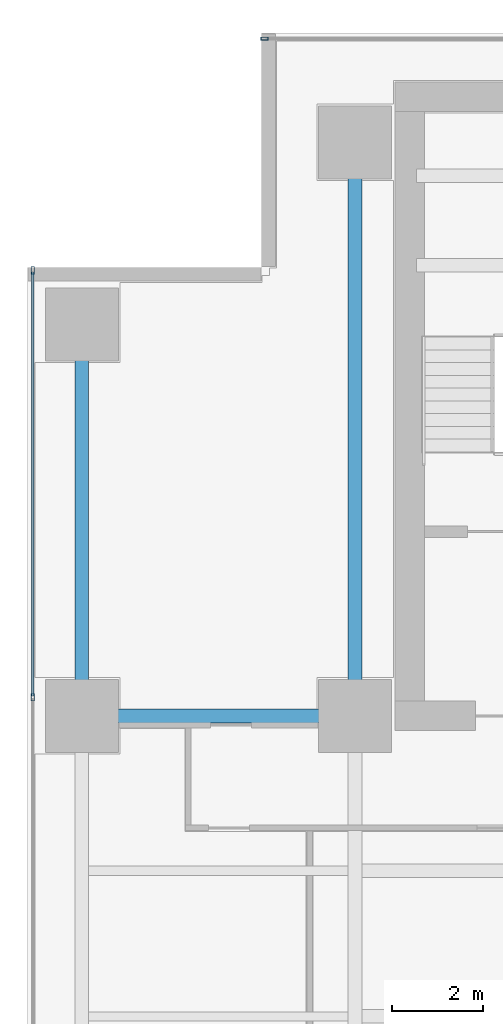
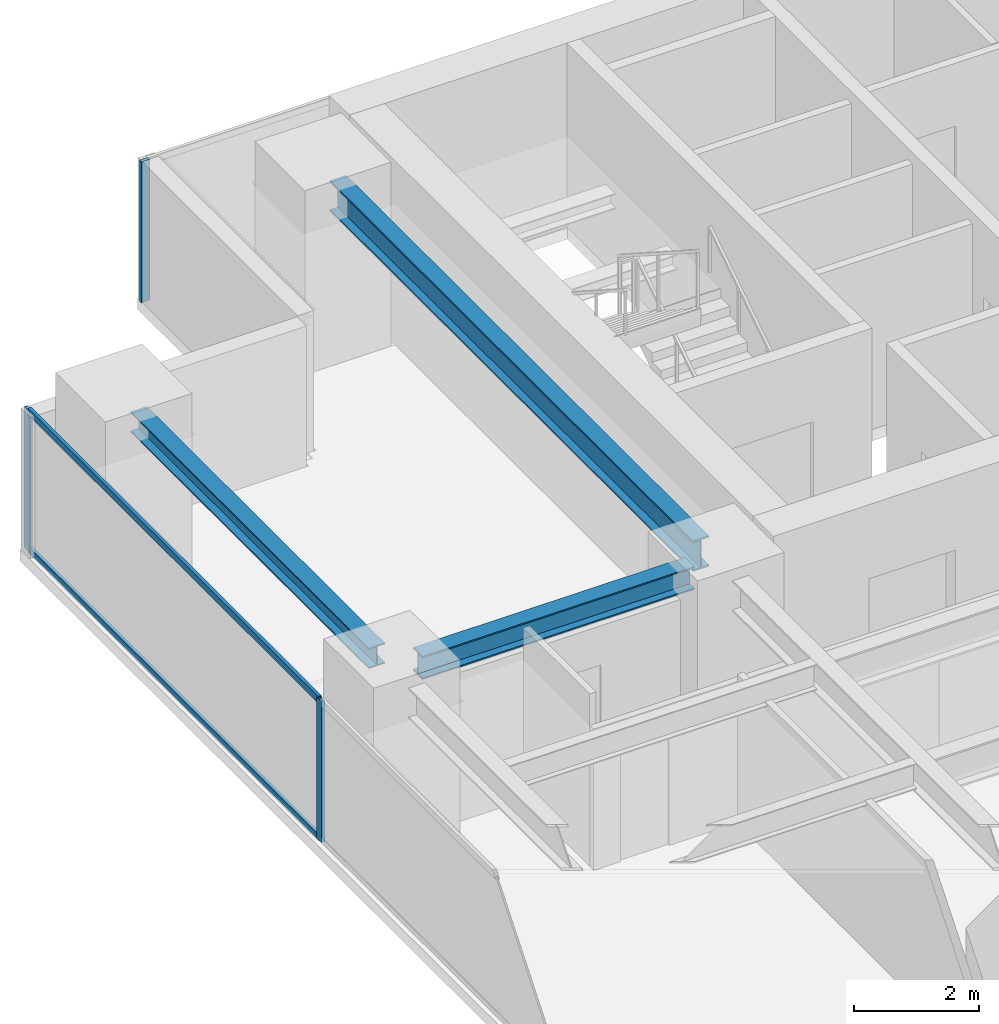
# One storey, part 14 of 28: 5 members, 3 beams, 2 elements without a shape of their own.
"""IFC4 building model written with IfcOpenShell, lengths in metres."""

from ifc_helpers import new_model, si_unit, direction, frame, origin, origin_2d, place, context, subcontext, project, spatial, hollow_rectangle, i_section, extrude, source, transform, mapped, material, layer, layer_set, material_profile, profile_set, type_object, element, aggregate, save


model = new_model("IFC4")

# Units and contexts
model_context = context("Model", 3, precision=1e-05, world=origin(), true_north=direction((0.0, 1.0)))
body_context = subcontext(model_context, "Body", "Model", "MODEL_VIEW")
ifc_project = project(units=[si_unit("LENGTHUNIT", "METRE"), si_unit("AREAUNIT", "SQUARE_METRE"), si_unit("VOLUMEUNIT", "CUBIC_METRE"), si_unit("PLANEANGLEUNIT", "RADIAN"), si_unit("MASSUNIT", "GRAM", prefix="KILO")], contexts=[model_context])

# Site, building, storey
site_placement = place(None, origin())
site = spatial("IfcSite", under=ifc_project, at=site_placement, CompositionType="ELEMENT")
building_placement = place(site_placement, origin())
building = spatial("IfcBuilding", under=site, at=building_placement, Name="Sumidabori Civic Tower", CompositionType="ELEMENT")
storey_placement = place(building_placement, frame((0.0, 0.0, 178.39990234375)))
storey = spatial("IfcBuildingStorey", under=building, at=storey_placement, Name="L46", CompositionType="ELEMENT", Elevation=178.39990234375)

# Beams
ifc_material_1 = material(Name="Steel SN490", Category="steel")
ifc_material_profile_1 = material_profile(ifc_material_1, i_section(OverallWidth=0.300048828125, OverallDepth=0.39990234375, WebThickness=0.013427734375, FlangeThickness=0.02392578125, at=origin_2d()), Name="HE 400 B")
ifc_profile_set_1 = profile_set([ifc_material_profile_1], Name="Steel SN490")
beam_type_1 = type_object("IfcBeamType", Name="BM-GIRD-400", PredefinedType="BEAM", material=ifc_profile_set_1)
shared_shape_1 = source(origin(), body_context, "Body", "SweptSolid", [
    extrude(i_section(OverallWidth=0.300048828125, OverallDepth=0.39990234375, WebThickness=0.013427734375, FlangeThickness=0.02392578125, at=origin_2d()), origin(), (0.0, 0.0, 1.0), 7.64013671875),
])
beam_1_placement = place(storey_placement, frame((-22.800048828125, 10.679931640625, 3.18017578125), z_axis=(0.0, 1.0, 0.0), x_axis=(-1.0, 0.0, 0.0)))
element("IfcBeam", 1, at=beam_1_placement, inside=storey, type_object=beam_type_1, Name="Primary Girder L46 GY-21", PredefinedType="BEAM", context=body_context, shape_type="MappedRepresentation", body=[
    mapped(shared_shape_1, transform((0.0, 0.0, 0.0), x_axis=(1.0, 0.0, 0.0), y_axis=(0.0, 1.0, 0.0), z_axis=(0.0, 0.0, 1.0), scale=1.0)),
])
ifc_material_profile_2 = material_profile(ifc_material_1, i_section(OverallWidth=0.300048828125, OverallDepth=0.60009765625, WebThickness=0.015380859375, FlangeThickness=0.030029296875, at=origin_2d()), Name="HE 600 B")
ifc_profile_set_2 = profile_set([ifc_material_profile_2], Name="Steel SN490")
beam_type_2 = type_object("IfcBeamType", Name="BM-GIRD-600", PredefinedType="BEAM", material=ifc_profile_set_2)
shared_shape_2 = source(origin(), body_context, "Body", "SweptSolid", [
    extrude(i_section(OverallWidth=0.300048828125, OverallDepth=0.60009765625, WebThickness=0.015380859375, FlangeThickness=0.030029296875, at=origin_2d()), origin(), (0.0, 0.0, 1.0), 11.64013671875),
])
beam_2_placement = place(storey_placement, frame((-16.800048828125, 10.679931640625, 3.080078125), z_axis=(0.0, 1.0, 0.0), x_axis=(-1.0, 0.0, 0.0)))
element("IfcBeam", 2, at=beam_2_placement, inside=storey, type_object=beam_type_2, Name="Primary Girder L46 GY-25", PredefinedType="BEAM", context=body_context, shape_type="MappedRepresentation", body=[
    mapped(shared_shape_2, transform((0.0, 0.0, 0.0), x_axis=(1.0, 0.0, 0.0), y_axis=(0.0, 1.0, 0.0), z_axis=(0.0, 0.0, 1.0), scale=1.0)),
])
ifc_material_profile_3 = material_profile(ifc_material_1, i_section(OverallWidth=0.300048828125, OverallDepth=0.449951171875, WebThickness=0.013916015625, FlangeThickness=0.02587890625, at=origin_2d()), Name="HE 450 B")
ifc_profile_set_3 = profile_set([ifc_material_profile_3], Name="Steel SN490")
beam_type_3 = type_object("IfcBeamType", Name="BM-GIRD-450", PredefinedType="BEAM", material=ifc_profile_set_3)
shared_shape_3 = source(origin(), body_context, "Body", "SweptSolid", [
    extrude(i_section(OverallWidth=0.300048828125, OverallDepth=0.449951171875, WebThickness=0.013916015625, FlangeThickness=0.02587890625, at=origin_2d()), origin(), (0.0, 0.0, 1.0), 5.0400390625),
])
beam_3_placement = place(storey_placement, frame((-22.320068359375, 10.199951171875, 3.155029296875), z_axis=(1.0, 0.0, 0.0), x_axis=(0.0, 1.0, 0.0)))
element("IfcBeam", 3, at=beam_3_placement, inside=storey, type_object=beam_type_3, Name="Primary Girder L46 GX-17", PredefinedType="BEAM", context=body_context, shape_type="MappedRepresentation", body=[
    mapped(shared_shape_3, transform((0.0, 0.0, 0.0), x_axis=(1.0, 0.0, 0.0), y_axis=(0.0, 1.0, 0.0), z_axis=(0.0, 0.0, 1.0), scale=1.0)),
])

# Curtain wall, member
ifc_material_2 = material(Name="Anodised Bronze Aluminium AW-6063-T6", Category="aluminium")
ifc_layer = layer(ifc_material_2, 0.179931640625, Name="Anodised Bronze Aluminium AW-6063-T6")
ifc_layer_set = layer_set([ifc_layer], Name="Anodised Bronze Aluminium AW-6063-T6")
curtain_wall_type = type_object("IfcCurtainWallType", Name="CW-SYS-3", PredefinedType="NOTDEFINED", material=ifc_layer_set)
curtain_wall_1_placement = place(storey_placement, origin())
curtain_wall_1 = element("IfcCurtainWall", 4, at=curtain_wall_1_placement, inside=storey, type_object=curtain_wall_type, Name="Curtain Wall CW:L46:R07", PredefinedType="NOTDEFINED")
ifc_material_profile_4 = material_profile(ifc_material_2, hollow_rectangle(XDim=0.06494140625, YDim=0.159912109375, WallThickness=0.0048828125, at=origin_2d()), Name="ALU MULLION 160x65")
ifc_profile_set_4 = profile_set([ifc_material_profile_4], Name="Anodised Bronze Aluminium AW-6063-T6")
member_type_1 = type_object("IfcMemberType", Name="CW-MUL-160", PredefinedType="MULLION", material=ifc_profile_set_4)
shared_shape_4 = source(origin(), body_context, "Body", "SweptSolid", [
    extrude(hollow_rectangle(XDim=0.06494140625, YDim=0.159912109375, WallThickness=0.0048828125, at=origin_2d()), origin(), (0.0, 0.0, 1.0), 2.760009765625),
])
member_1_placement = place(storey_placement, frame((-18.78759765625, 25.080078125, 0.0), z_axis=(0.0, 0.0, 1.0), x_axis=(0.0, -1.0, 0.0)))
member_1 = element("IfcMember", 5, at=member_1_placement, type_object=member_type_1, Name="CW-3 mullion 5", PredefinedType="MULLION", context=body_context, shape_type="MappedRepresentation", body=[
    mapped(shared_shape_4, transform((0.0, 0.0, 0.0), x_axis=(1.0, 0.0, 0.0), y_axis=(0.0, 1.0, 0.0), z_axis=(0.0, 0.0, 1.0), scale=1.0)),
])
aggregate(curtain_wall_1, [member_1])

# Curtain wall, members
curtain_wall_2_placement = place(storey_placement, origin())
curtain_wall_2 = element("IfcCurtainWall", 6, at=curtain_wall_2_placement, inside=storey, type_object=curtain_wall_type, Name="Curtain Wall CW:L46:R10", PredefinedType="NOTDEFINED")
member_2_placement = place(storey_placement, frame((-23.8798828125, 19.987548828125, 0.0), z_axis=(0.0, 0.0, 1.0), x_axis=(1.0, 0.0, 0.0)))
member_2 = element("IfcMember", 7, at=member_2_placement, type_object=member_type_1, Name="CW-3 mullion 1", PredefinedType="MULLION", context=body_context, shape_type="MappedRepresentation", body=[
    mapped(shared_shape_4, transform((0.0, 0.0, 0.0), x_axis=(1.0, 0.0, 0.0), y_axis=(0.0, 1.0, 0.0), z_axis=(0.0, 0.0, 1.0), scale=1.0)),
])
member_3_placement = place(storey_placement, frame((-23.8798828125, 10.610107421875, 0.0), z_axis=(0.0, 0.0, 1.0), x_axis=(1.0, 0.0, 0.0)))
member_3 = element("IfcMember", 8, at=member_3_placement, type_object=member_type_1, Name="CW-3 mullion 2", PredefinedType="MULLION", context=body_context, shape_type="MappedRepresentation", body=[
    mapped(shared_shape_4, transform((0.0, 0.0, 0.0), x_axis=(1.0, 0.0, 0.0), y_axis=(0.0, 1.0, 0.0), z_axis=(0.0, 0.0, 1.0), scale=1.0)),
])
ifc_material_profile_5 = material_profile(ifc_material_2, hollow_rectangle(XDim=0.06005859375, YDim=0.1298828125, WallThickness=0.0048828125, at=origin_2d()), Name="ALU TRANSOM 130x60")
ifc_profile_set_5 = profile_set([ifc_material_profile_5], Name="Anodised Bronze Aluminium AW-6063-T6")
member_type_2 = type_object("IfcMemberType", Name="CW-TRN-130", PredefinedType="USERDEFINED", material=ifc_profile_set_5)
shared_shape_5 = source(origin(), body_context, "Body", "SweptSolid", [
    extrude(hollow_rectangle(XDim=0.06005859375, YDim=0.1298828125, WallThickness=0.0048828125, at=origin_2d()), origin(), (0.0, 0.0, 1.0), 9.3125),
])
member_4_placement = place(storey_placement, frame((-23.8798828125, 19.955078125, 0.030029296875), z_axis=(0.0, -1.0, 0.0), x_axis=(1.0, 0.0, 0.0)))
member_4 = element("IfcMember", 9, at=member_4_placement, type_object=member_type_2, Name="CW-3 transom 1.1", ObjectType="TRANSOM", PredefinedType="USERDEFINED", context=body_context, shape_type="MappedRepresentation", body=[
    mapped(shared_shape_5, transform((0.0, 0.0, 0.0), x_axis=(1.0, 0.0, 0.0), y_axis=(0.0, 1.0, 0.0), z_axis=(0.0, 0.0, 1.0), scale=1.0)),
])
member_5_placement = place(storey_placement, frame((-23.8798828125, 19.955078125, 2.72998046875), z_axis=(0.0, -1.0, 0.0), x_axis=(1.0, 0.0, 0.0)))
member_5 = element("IfcMember", 10, at=member_5_placement, type_object=member_type_2, Name="CW-3 transom 1.2", ObjectType="TRANSOM", PredefinedType="USERDEFINED", context=body_context, shape_type="MappedRepresentation", body=[
    mapped(shared_shape_5, transform((0.0, 0.0, 0.0), x_axis=(1.0, 0.0, 0.0), y_axis=(0.0, 1.0, 0.0), z_axis=(0.0, 0.0, 1.0), scale=1.0)),
])
aggregate(curtain_wall_2, [member_2, member_3, member_4, member_5])

save(model, "model.ifc")
